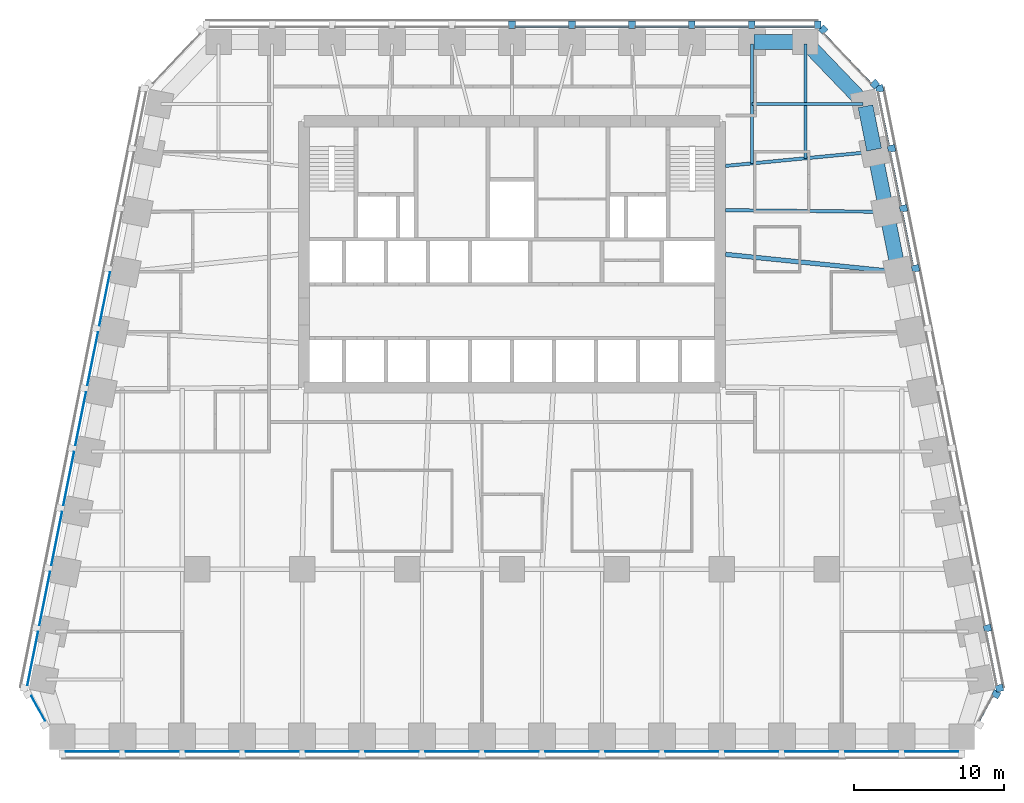
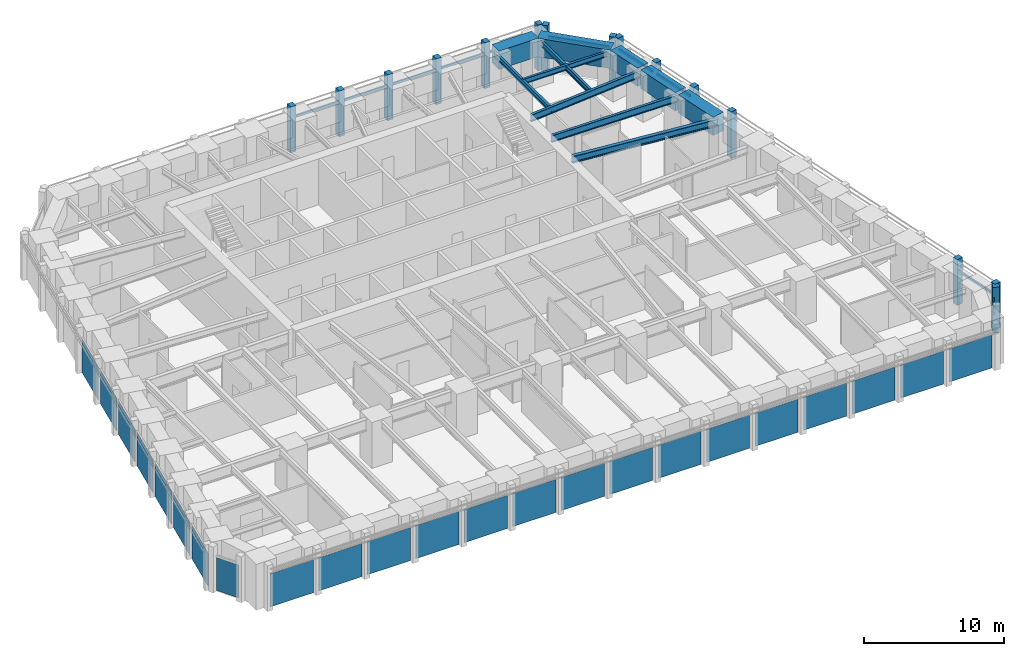
# One storey, part 4 of 10: 26 members, 23 plates, 11 beams, 7 elements without a shape of their own.
"""IFC4 building model written with IfcOpenShell, lengths in metres."""

from ifc_helpers import new_model, si_unit, direction, frame, origin, origin_2d, place, context, subcontext, project, spatial, rectangle, i_section, extrude, material, layer, layer_set, material_profile, profile_set, type_object, element, aggregate, save


model = new_model("IFC4")

# Units and contexts
model_context = context("Model", 3, precision=1e-05, world=origin(), true_north=direction((0.0, 1.0)))
body_context = subcontext(model_context, "Body", "Model", "MODEL_VIEW")
ifc_project = project(units=[si_unit("LENGTHUNIT", "METRE"), si_unit("AREAUNIT", "SQUARE_METRE"), si_unit("VOLUMEUNIT", "CUBIC_METRE"), si_unit("PLANEANGLEUNIT", "RADIAN"), si_unit("MASSUNIT", "GRAM", prefix="KILO")], contexts=[model_context])

# Site, building, storey
site_placement = place(None, origin())
site = spatial("IfcSite", under=ifc_project, at=site_placement, CompositionType="ELEMENT")
building_placement = place(site_placement, origin())
building = spatial("IfcBuilding", under=site, at=building_placement, Name="Isbrekke Arena Tower", CompositionType="ELEMENT")
storey_placement = place(building_placement, frame((0.0, 0.0, 119.0)))
storey = spatial("IfcBuildingStorey", under=building, at=storey_placement, Name="L26", CompositionType="ELEMENT", Elevation=119.0)

# Beams
ifc_material_1 = material(Name="Steel S355", Category="steel")
ifc_material_profile_1 = material_profile(ifc_material_1, i_section(OverallWidth=0.219970703125, OverallDepth=0.60009765625, WebThickness=0.011962890625, FlangeThickness=0.01904296875, FilletRadius=0.02392578125, at=origin_2d()), Name="IPE 600")
ifc_profile_set_1 = profile_set([ifc_material_profile_1], Name="Steel S355")
beam_type_1 = type_object("IfcBeamType", Name="B1 IPE 600", PredefinedType="BEAM", material=ifc_profile_set_1)
beam_1_placement = place(storey_placement, frame((24.83984375, 17.838134765625, 3.550048828125), z_axis=(-0.999944260169, 0.010558245831, 0.0), x_axis=(-0.010558245831, -0.999944260169, 0.0)))
element("IfcBeam", 1, at=beam_1_placement, inside=storey, type_object=beam_type_1, Name="B1 beam E-E09 L26", PredefinedType="BEAM", context=body_context, shape_type="SweptSolid", body=[
    extrude(i_section(OverallWidth=0.219970703125, OverallDepth=0.60009765625, WebThickness=0.011962890625, FlangeThickness=0.01904296875, FilletRadius=0.02392578125, at=origin_2d()), origin(), (0.0, 0.0, 1.0), 10.59033203125),
])
beam_2_placement = place(storey_placement, frame((24.030517578125, 21.837158203125, 3.550048828125), z_axis=(-0.995439798606, -0.095391862082, 0.0), x_axis=(0.095391862082, -0.995439798606, 0.0)))
element("IfcBeam", 2, at=beam_2_placement, inside=storey, type_object=beam_type_1, Name="B1 beam E-E10 L26", PredefinedType="BEAM", context=body_context, shape_type="SweptSolid", body=[
    extrude(i_section(OverallWidth=0.219970703125, OverallDepth=0.60009765625, WebThickness=0.011962890625, FlangeThickness=0.01904296875, FilletRadius=0.02392578125, at=origin_2d()), origin(), (0.0, 0.0, 1.0), 9.825439453125),
])
ifc_material_2 = material(Name="Steel S355", Category="steel")
ifc_material_profile_2 = material_profile(ifc_material_2, i_section(OverallWidth=0.18994140625, OverallDepth=0.449951171875, WebThickness=0.009521484375, FlangeThickness=0.0146484375, FilletRadius=0.02099609375, at=origin_2d()), Name="IPE 450")
ifc_profile_set_2 = profile_set([ifc_material_profile_2], Name="Steel S355")
beam_type_2 = type_object("IfcBeamType", Name="B2 IPE 450", PredefinedType="BEAM", material=ifc_profile_set_2)
beam_3_placement = place(storey_placement, frame((23.40283203125, 25.029296875, 3.625), z_axis=(-1.0, 0.0, 0.0), x_axis=(0.0, -1.0, 0.0)))
element("IfcBeam", 3, at=beam_3_placement, inside=storey, type_object=beam_type_2, Name="B2 beam E-E11 L26", PredefinedType="BEAM", context=body_context, shape_type="SweptSolid", body=[
    extrude(i_section(OverallWidth=0.18994140625, OverallDepth=0.449951171875, WebThickness=0.009521484375, FlangeThickness=0.0146484375, FilletRadius=0.02099609375, at=origin_2d()), origin(), (0.0, 0.0, 1.0), 7.40283203125),
])
ifc_material_3 = material(Name="Steel S355", Category="steel")
ifc_material_profile_3 = material_profile(ifc_material_3, i_section(OverallWidth=0.18994140625, OverallDepth=0.449951171875, WebThickness=0.009521484375, FlangeThickness=0.0146484375, FilletRadius=0.02099609375, at=origin_2d()), Name="IPE 450")
ifc_profile_set_3 = profile_set([ifc_material_profile_3], Name="Steel S355")
beam_type_3 = type_object("IfcBeamType", Name="B3 IPE 450", PredefinedType="BEAM", material=ifc_profile_set_3)
beam_4_placement = place(storey_placement, frame((19.574951171875, 29.02490234375, 3.625), z_axis=(0.0, -1.0, 0.0), x_axis=(1.0, 0.0, 0.0)))
element("IfcBeam", 4, at=beam_4_placement, inside=storey, type_object=beam_type_3, Name="B3 beam N-N01 L26", PredefinedType="BEAM", context=body_context, shape_type="SweptSolid", body=[
    extrude(i_section(OverallWidth=0.18994140625, OverallDepth=0.449951171875, WebThickness=0.009521484375, FlangeThickness=0.0146484375, FilletRadius=0.02099609375, at=origin_2d()), origin(), (0.0, 0.0, 1.0), 7.61474609375),
])
beam_5_placement = place(storey_placement, frame((16.0, 29.02490234375, 3.625), z_axis=(0.0, -1.0, 0.0), x_axis=(1.0, 0.0, 0.0)))
element("IfcBeam", 5, at=beam_5_placement, inside=storey, type_object=beam_type_3, Name="B3 beam N-N02 L26", PredefinedType="BEAM", context=body_context, shape_type="SweptSolid", body=[
    extrude(i_section(OverallWidth=0.18994140625, OverallDepth=0.449951171875, WebThickness=0.009521484375, FlangeThickness=0.0146484375, FilletRadius=0.02099609375, at=origin_2d()), origin(), (0.0, 0.0, 1.0), 7.957275390625),
])
ifc_material_4 = material(Name="Steel S355", Category="steel")
ifc_material_profile_4 = material_profile(ifc_material_4, i_section(OverallWidth=0.300048828125, OverallDepth=0.60009765625, WebThickness=0.015380859375, FlangeThickness=0.030029296875, FilletRadius=0.027099609375, at=origin_2d()), Name="HEB 600")
ifc_profile_set_4 = profile_set([ifc_material_profile_4], Name="Steel S355")
beam_type_4 = type_object("IfcBeamType", Name="B7 HEB 600", PredefinedType="BEAM", material=ifc_profile_set_4)
beam_6_placement = place(storey_placement, frame((25.6259765625, 13.83984375, 3.550048828125), z_axis=(-0.994839949319, 0.10145676537, 0.0), x_axis=(-0.10145676537, -0.994839949319, 0.0)))
element("IfcBeam", 6, at=beam_6_placement, inside=storey, type_object=beam_type_4, Name="B7 beam E-E08 L26", PredefinedType="BEAM", context=body_context, shape_type="SweptSolid", body=[
    extrude(i_section(OverallWidth=0.300048828125, OverallDepth=0.60009765625, WebThickness=0.015380859375, FlangeThickness=0.030029296875, FilletRadius=0.027099609375, at=origin_2d()), origin(), (0.0, 0.0, 1.0), 11.43505859375),
])

# Curtain wall, member
ifc_material_5 = material(Name="Glazed aluminium curtain wall", Category="aluminium")
curtain_wall_type = type_object("IfcCurtainWallType", Name="CWM TOWER CURTAIN WALL MID ZONE", PredefinedType="USERDEFINED", material=ifc_material_5)
curtain_wall_1_placement = place(storey_placement, origin())
curtain_wall_1 = element("IfcCurtainWall", 7, at=curtain_wall_1_placement, inside=storey, type_object=curtain_wall_type, Name="CWM curtain wall L26-SE", ObjectType="TOWER CURTAIN WALL MID ZONE", PredefinedType="USERDEFINED")
ifc_material_6 = material(Name="Aluminium mullion, pale brick slip cladding", Category="masonry")
ifc_material_profile_5 = material_profile(ifc_material_6, rectangle(XDim=0.449951171875, YDim=0.5, at=origin_2d()), Name="PIER 450X500")
ifc_profile_set_5 = profile_set([ifc_material_profile_5], Name="Aluminium mullion, pale brick slip cladding")
member_type_1 = type_object("IfcMemberType", Name="CWM-M PIER MULLION 450 x 500", PredefinedType="MULLION", material=ifc_profile_set_5)
member_1_placement = place(storey_placement, frame((32.296142578125, -14.34375, 0.0), z_axis=(0.0, 0.0, 1.0), x_axis=(0.481918749773, 0.876215908676, 0.0)))
member_1 = element("IfcMember", 8, at=member_1_placement, type_object=member_type_1, Name="CWM-M mullion 2", PredefinedType="MULLION", context=body_context, shape_type="SweptSolid", body=[
    extrude(rectangle(XDim=0.449951171875, YDim=0.5, at=origin_2d()), origin(), (0.0, 0.0, 1.0), 4.0),
])

# Curtain wall, members
curtain_wall_2_placement = place(storey_placement, origin())
curtain_wall_2 = element("IfcCurtainWall", 9, at=curtain_wall_2_placement, inside=storey, type_object=curtain_wall_type, Name="CWM curtain wall L26-E", ObjectType="TOWER CURTAIN WALL MID ZONE", PredefinedType="USERDEFINED")
member_2_placement = place(storey_placement, frame((32.518798828125, -13.936279296875, 0.0), z_axis=(0.0, 0.0, 1.0), x_axis=(-0.196116135138, 0.980580675691, 0.0)))
member_2 = element("IfcMember", 10, at=member_2_placement, type_object=member_type_1, Name="CWM-M mullion 1", PredefinedType="MULLION", context=body_context, shape_type="SweptSolid", body=[
    extrude(rectangle(XDim=0.449951171875, YDim=0.5, at=origin_2d()), origin(), (0.0, 0.0, 1.0), 4.0),
])
member_3_placement = place(storey_placement, frame((31.71875, -9.936279296875, 0.0), z_axis=(0.0, 0.0, 1.0), x_axis=(-0.196116135138, 0.980580675691, 0.0)))
member_3 = element("IfcMember", 11, at=member_3_placement, type_object=member_type_1, Name="CWM-M mullion 2", PredefinedType="MULLION", context=body_context, shape_type="SweptSolid", body=[
    extrude(rectangle(XDim=0.449951171875, YDim=0.5, at=origin_2d()), origin(), (0.0, 0.0, 1.0), 4.0),
])
member_4_placement = place(storey_placement, frame((26.918701171875, 14.063720703125, 0.0), z_axis=(0.0, 0.0, 1.0), x_axis=(-0.196116135138, 0.980580675691, 0.0)))
member_4 = element("IfcMember", 12, at=member_4_placement, type_object=member_type_1, Name="CWM-M mullion 8", PredefinedType="MULLION", context=body_context, shape_type="SweptSolid", body=[
    extrude(rectangle(XDim=0.449951171875, YDim=0.5, at=origin_2d()), origin(), (0.0, 0.0, 1.0), 4.0),
])
member_5_placement = place(storey_placement, frame((26.11865234375, 18.063720703125, 0.0), z_axis=(0.0, 0.0, 1.0), x_axis=(-0.196116135138, 0.980580675691, 0.0)))
member_5 = element("IfcMember", 13, at=member_5_placement, type_object=member_type_1, Name="CWM-M mullion 9", PredefinedType="MULLION", context=body_context, shape_type="SweptSolid", body=[
    extrude(rectangle(XDim=0.449951171875, YDim=0.5, at=origin_2d()), origin(), (0.0, 0.0, 1.0), 4.0),
])
member_6_placement = place(storey_placement, frame((25.318603515625, 22.063720703125, 0.0), z_axis=(0.0, 0.0, 1.0), x_axis=(-0.196116135138, 0.980580675691, 0.0)))
member_6 = element("IfcMember", 14, at=member_6_placement, type_object=member_type_1, Name="CWM-M mullion 10", PredefinedType="MULLION", context=body_context, shape_type="SweptSolid", body=[
    extrude(rectangle(XDim=0.449951171875, YDim=0.5, at=origin_2d()), origin(), (0.0, 0.0, 1.0), 4.0),
])
member_7_placement = place(storey_placement, frame((24.518798828125, 26.063720703125, 0.0), z_axis=(0.0, 0.0, 1.0), x_axis=(-0.196116135138, 0.980580675691, 0.0)))
member_7 = element("IfcMember", 15, at=member_7_placement, type_object=member_type_1, Name="CWM-M mullion 11", PredefinedType="MULLION", context=body_context, shape_type="SweptSolid", body=[
    extrude(rectangle(XDim=0.449951171875, YDim=0.5, at=origin_2d()), origin(), (0.0, 0.0, 1.0), 4.0),
])

curtain_wall_3_placement = place(storey_placement, origin())
curtain_wall_3 = element("IfcCurtainWall", 16, at=curtain_wall_3_placement, inside=storey, type_object=curtain_wall_type, Name="CWM curtain wall L26-EN", ObjectType="TOWER CURTAIN WALL MID ZONE", PredefinedType="USERDEFINED")
member_8_placement = place(storey_placement, frame((24.208251953125, 26.354248046875, 0.0), z_axis=(0.0, 0.0, 1.0), x_axis=(-0.68874946192, 0.72499943359, 0.0)))
member_8 = element("IfcMember", 17, at=member_8_placement, type_object=member_type_1, Name="CWM-M mullion 1", PredefinedType="MULLION", context=body_context, shape_type="SweptSolid", body=[
    extrude(rectangle(XDim=0.449951171875, YDim=0.5, at=origin_2d()), origin(), (0.0, 0.0, 1.0), 4.0),
])
member_9_placement = place(storey_placement, frame((20.7587890625, 29.9853515625, 0.0), z_axis=(0.0, 0.0, 1.0), x_axis=(-0.68874946192, 0.72499943359, 0.0)))
member_9 = element("IfcMember", 18, at=member_9_placement, type_object=member_type_1, Name="CWM-M mullion 2", PredefinedType="MULLION", context=body_context, shape_type="SweptSolid", body=[
    extrude(rectangle(XDim=0.449951171875, YDim=0.5, at=origin_2d()), origin(), (0.0, 0.0, 1.0), 4.0),
])

curtain_wall_4_placement = place(storey_placement, origin())
curtain_wall_4 = element("IfcCurtainWall", 19, at=curtain_wall_4_placement, inside=storey, type_object=curtain_wall_type, Name="CWM curtain wall L26-N", ObjectType="TOWER CURTAIN WALL MID ZONE", PredefinedType="USERDEFINED")
member_10_placement = place(storey_placement, frame((20.39990234375, 30.324951171875, 0.0), z_axis=(0.0, 0.0, 1.0), x_axis=(-1.0, 0.0, 0.0)))
member_10 = element("IfcMember", 20, at=member_10_placement, type_object=member_type_1, Name="CWM-M mullion 1", PredefinedType="MULLION", context=body_context, shape_type="SweptSolid", body=[
    extrude(rectangle(XDim=0.449951171875, YDim=0.5, at=origin_2d()), origin(), (0.0, 0.0, 1.0), 4.0),
])
member_11_placement = place(storey_placement, frame((16.0, 30.324951171875, 0.0), z_axis=(0.0, 0.0, 1.0), x_axis=(-1.0, 0.0, 0.0)))
member_11 = element("IfcMember", 21, at=member_11_placement, type_object=member_type_1, Name="CWM-M mullion 2", PredefinedType="MULLION", context=body_context, shape_type="SweptSolid", body=[
    extrude(rectangle(XDim=0.449951171875, YDim=0.5, at=origin_2d()), origin(), (0.0, 0.0, 1.0), 4.0),
])
member_12_placement = place(storey_placement, frame((12.0, 30.324951171875, 0.0), z_axis=(0.0, 0.0, 1.0), x_axis=(-1.0, 0.0, 0.0)))
member_12 = element("IfcMember", 22, at=member_12_placement, type_object=member_type_1, Name="CWM-M mullion 3", PredefinedType="MULLION", context=body_context, shape_type="SweptSolid", body=[
    extrude(rectangle(XDim=0.449951171875, YDim=0.5, at=origin_2d()), origin(), (0.0, 0.0, 1.0), 4.0),
])
member_13_placement = place(storey_placement, frame((8.0, 30.324951171875, 0.0), z_axis=(0.0, 0.0, 1.0), x_axis=(-1.0, 0.0, 0.0)))
member_13 = element("IfcMember", 23, at=member_13_placement, type_object=member_type_1, Name="CWM-M mullion 4", PredefinedType="MULLION", context=body_context, shape_type="SweptSolid", body=[
    extrude(rectangle(XDim=0.449951171875, YDim=0.5, at=origin_2d()), origin(), (0.0, 0.0, 1.0), 4.0),
])
member_14_placement = place(storey_placement, frame((4.0, 30.324951171875, 0.0), z_axis=(0.0, 0.0, 1.0), x_axis=(-1.0, 0.0, 0.0)))
member_14 = element("IfcMember", 24, at=member_14_placement, type_object=member_type_1, Name="CWM-M mullion 5", PredefinedType="MULLION", context=body_context, shape_type="SweptSolid", body=[
    extrude(rectangle(XDim=0.449951171875, YDim=0.5, at=origin_2d()), origin(), (0.0, 0.0, 1.0), 4.0),
])
member_15_placement = place(storey_placement, frame((0.0, 30.324951171875, 0.0), z_axis=(0.0, 0.0, 1.0), x_axis=(-1.0, 0.0, 0.0)))
member_15 = element("IfcMember", 25, at=member_15_placement, type_object=member_type_1, Name="CWM-M mullion 6", PredefinedType="MULLION", context=body_context, shape_type="SweptSolid", body=[
    extrude(rectangle(XDim=0.449951171875, YDim=0.5, at=origin_2d()), origin(), (0.0, 0.0, 1.0), 4.0),
])

# Member
ifc_material_7 = material(Name="Aluminium transom", Category="aluminium")
ifc_material_profile_6 = material_profile(ifc_material_7, rectangle(XDim=0.1201171875, YDim=0.199951171875, at=origin_2d()), Name="TRANSOM 120X200")
ifc_profile_set_6 = profile_set([ifc_material_profile_6], Name="Aluminium transom")
member_type_2 = type_object("IfcMemberType", Name="CWM-T TRANSOM 120 x 200", PredefinedType="USERDEFINED", material=ifc_profile_set_6)
member_16_placement = place(storey_placement, frame((31.152099609375, -16.112548828125, 3.0), z_axis=(0.482003669577, 0.876169197424, 0.0), x_axis=(-0.876169197424, 0.482003669577, 0.0)))
member_16 = element("IfcMember", 26, at=member_16_placement, type_object=member_type_2, Name="CWM-T transom 1", ObjectType="TRANSOM", PredefinedType="USERDEFINED", context=body_context, shape_type="SweptSolid", body=[
    extrude(rectangle(XDim=0.1201171875, YDim=0.199951171875, at=origin_2d()), origin(), (0.0, 0.0, 1.0), 1.876220703125),
])

aggregate(curtain_wall_1, [member_1, member_16])

member_17_placement = place(storey_placement, frame((32.327392578125, -13.7451171875, 3.0), z_axis=(-0.196090262229, 0.980585849918, 0.0), x_axis=(-0.980585849918, -0.196090262229, 0.0)))
member_17 = element("IfcMember", 27, at=member_17_placement, type_object=member_type_2, Name="CWM-T transom 1", ObjectType="TRANSOM", PredefinedType="USERDEFINED", context=body_context, shape_type="SweptSolid", body=[
    extrude(rectangle(XDim=0.1201171875, YDim=0.199951171875, at=origin_2d()), origin(), (0.0, 0.0, 1.0), 3.62939453125),
])

member_18_placement = place(storey_placement, frame((26.7275390625, 14.2548828125, 3.0), z_axis=(-0.196154943734, 0.980572913173, 0.0), x_axis=(-0.980572913173, -0.196154943734, 0.0)))
member_18 = element("IfcMember", 28, at=member_18_placement, type_object=member_type_2, Name="CWM-T transom 8", ObjectType="TRANSOM", PredefinedType="USERDEFINED", context=body_context, shape_type="SweptSolid", body=[
    extrude(rectangle(XDim=0.1201171875, YDim=0.199951171875, at=origin_2d()), origin(), (0.0, 0.0, 1.0), 3.62939453125),
])

member_19_placement = place(storey_placement, frame((25.927490234375, 18.2548828125, 3.0), z_axis=(-0.196090262229, 0.980585849918, 0.0), x_axis=(-0.980585849918, -0.196090262229, 0.0)))
member_19 = element("IfcMember", 29, at=member_19_placement, type_object=member_type_2, Name="CWM-T transom 9", ObjectType="TRANSOM", PredefinedType="USERDEFINED", context=body_context, shape_type="SweptSolid", body=[
    extrude(rectangle(XDim=0.1201171875, YDim=0.199951171875, at=origin_2d()), origin(), (0.0, 0.0, 1.0), 3.62939453125),
])

member_20_placement = place(storey_placement, frame((25.12744140625, 22.2548828125, 3.0), z_axis=(-0.196090262229, 0.980585849918, 0.0), x_axis=(-0.980585849918, -0.196090262229, 0.0)))
member_20 = element("IfcMember", 30, at=member_20_placement, type_object=member_type_2, Name="CWM-T transom 10", ObjectType="TRANSOM", PredefinedType="USERDEFINED", context=body_context, shape_type="SweptSolid", body=[
    extrude(rectangle(XDim=0.1201171875, YDim=0.199951171875, at=origin_2d()), origin(), (0.0, 0.0, 1.0), 3.62939453125),
])

aggregate(curtain_wall_2, [member_2, member_3, member_4, member_5, member_6, member_7, member_17, member_18, member_19, member_20])

member_21_placement = place(storey_placement, frame((23.944580078125, 26.4140625, 3.0), z_axis=(-0.688771983213, 0.724978037696, 0.0), x_axis=(-0.724978037696, -0.688771983213, 0.0)))
member_21 = element("IfcMember", 31, at=member_21_placement, type_object=member_type_2, Name="CWM-T transom 1", ObjectType="TRANSOM", PredefinedType="USERDEFINED", context=body_context, shape_type="SweptSolid", body=[
    extrude(rectangle(XDim=0.1201171875, YDim=0.199951171875, at=origin_2d()), origin(), (0.0, 0.0, 1.0), 4.558349609375),
])

aggregate(curtain_wall_3, [member_8, member_9, member_21])

member_22_placement = place(storey_placement, frame((20.175048828125, 30.175048828125, 3.0), z_axis=(-1.0, 0.0, 0.0), x_axis=(0.0, -1.0, 0.0)))
member_22 = element("IfcMember", 32, at=member_22_placement, type_object=member_type_2, Name="CWM-T transom 1", ObjectType="TRANSOM", PredefinedType="USERDEFINED", context=body_context, shape_type="SweptSolid", body=[
    extrude(rectangle(XDim=0.1201171875, YDim=0.199951171875, at=origin_2d()), origin(), (0.0, 0.0, 1.0), 3.949951171875),
])

member_23_placement = place(storey_placement, frame((15.77490234375, 30.175048828125, 3.0), z_axis=(-1.0, 0.0, 0.0), x_axis=(0.0, -1.0, 0.0)))
member_23 = element("IfcMember", 33, at=member_23_placement, type_object=member_type_2, Name="CWM-T transom 2", ObjectType="TRANSOM", PredefinedType="USERDEFINED", context=body_context, shape_type="SweptSolid", body=[
    extrude(rectangle(XDim=0.1201171875, YDim=0.199951171875, at=origin_2d()), origin(), (0.0, 0.0, 1.0), 3.5498046875),
])

member_24_placement = place(storey_placement, frame((11.77490234375, 30.175048828125, 3.0), z_axis=(-1.0, 0.0, 0.0), x_axis=(0.0, -1.0, 0.0)))
member_24 = element("IfcMember", 34, at=member_24_placement, type_object=member_type_2, Name="CWM-T transom 3", ObjectType="TRANSOM", PredefinedType="USERDEFINED", context=body_context, shape_type="SweptSolid", body=[
    extrude(rectangle(XDim=0.1201171875, YDim=0.199951171875, at=origin_2d()), origin(), (0.0, 0.0, 1.0), 3.5498046875),
])

member_25_placement = place(storey_placement, frame((7.77490234375, 30.175048828125, 3.0), z_axis=(-1.0, 0.0, 0.0), x_axis=(0.0, -1.0, 0.0)))
member_25 = element("IfcMember", 35, at=member_25_placement, type_object=member_type_2, Name="CWM-T transom 4", ObjectType="TRANSOM", PredefinedType="USERDEFINED", context=body_context, shape_type="SweptSolid", body=[
    extrude(rectangle(XDim=0.1201171875, YDim=0.199951171875, at=origin_2d()), origin(), (0.0, 0.0, 1.0), 3.5498046875),
])

member_26_placement = place(storey_placement, frame((3.77490234375, 30.175048828125, 3.0), z_axis=(-1.0, 0.0, 0.0), x_axis=(0.0, -1.0, 0.0)))
member_26 = element("IfcMember", 36, at=member_26_placement, type_object=member_type_2, Name="CWM-T transom 5", ObjectType="TRANSOM", PredefinedType="USERDEFINED", context=body_context, shape_type="SweptSolid", body=[
    extrude(rectangle(XDim=0.1201171875, YDim=0.199951171875, at=origin_2d()), origin(), (0.0, 0.0, 1.0), 3.5498046875),
])

aggregate(curtain_wall_4, [member_10, member_11, member_12, member_13, member_14, member_15, member_22, member_23, member_24, member_25, member_26])

# Beams
ifc_material_8 = material(Name="Concrete B80 (C80/95)", Category="concrete")
ifc_material_profile_7 = material_profile(ifc_material_8, rectangle(XDim=1.0, YDim=1.60009765625, at=origin_2d()), Name="RC 1000x1600")
ifc_profile_set_7 = profile_set([ifc_material_profile_7], Name="Concrete B80 (C80/95)")
beam_type_5 = type_object("IfcBeamType", Name="SB2 RC 1000 x 1600", PredefinedType="SPANDREL", material=ifc_profile_set_7)
for number, where, z_axis, x_axis, name in (
    (37, (25.76171875, 13.9853515625, 3.199951171875), (-0.196128558387, 0.980578190959, 0.0), (-0.980578190959, -0.196128558387, 0.0), "SB2 spandrel E08-E09 L26"),
    (38, (24.961669921875, 17.9853515625, 3.199951171875), (-0.196128558387, 0.980578190959, 0.0), (-0.980578190959, -0.196128558387, 0.0), "SB2 spandrel E09-E10 L26"),
):
    element("IfcBeam", number, at=place(storey_placement, frame(where, z_axis=z_axis, x_axis=x_axis)), inside=storey, type_object=beam_type_5, Name=name, PredefinedType="SPANDREL", context=body_context, shape_type="SweptSolid", body=[
        extrude(rectangle(XDim=1.0, YDim=1.60009765625, at=origin_2d()), origin(), (0.0, 0.0, 1.0), 3.779296875),
    ])
beam_7_placement = place(storey_placement, frame((24.16162109375, 21.9853515625, 3.199951171875), z_axis=(-0.196116135138, 0.980580675691, 0.0), x_axis=(-0.980580675691, -0.196116135138, 0.0)))
element("IfcBeam", 39, at=beam_7_placement, inside=storey, type_object=beam_type_5, Name="SB2 spandrel E10-E11 L26", PredefinedType="SPANDREL", context=body_context, shape_type="SweptSolid", body=[
    extrude(rectangle(XDim=1.0, YDim=1.60009765625, at=origin_2d()), origin(), (0.0, 0.0, 1.0), 2.9541015625),
])
beam_8_placement = place(storey_placement, frame((23.448974609375, 25.137451171875, 3.199951171875), z_axis=(-0.692339547635, 0.721571861134, 0.0), x_axis=(-0.721571861134, -0.692339547635, 0.0)))
element("IfcBeam", 40, at=beam_8_placement, inside=storey, type_object=beam_type_5, Name="SB2 spandrel E11-N01 L26", PredefinedType="SPANDREL", context=body_context, shape_type="SweptSolid", body=[
    extrude(rectangle(XDim=1.0, YDim=1.60009765625, at=origin_2d()), origin(), (0.0, 0.0, 1.0), 5.4453125),
])
beam_9_placement = place(storey_placement, frame((19.425048828125, 29.175048828125, 3.199951171875), z_axis=(-1.0, 0.0, 0.0), x_axis=(0.0, -1.0, 0.0)))
element("IfcBeam", 41, at=beam_9_placement, inside=storey, type_object=beam_type_5, Name="SB2 spandrel N01-N02 L26", PredefinedType="SPANDREL", context=body_context, shape_type="SweptSolid", body=[
    extrude(rectangle(XDim=1.0, YDim=1.60009765625, at=origin_2d()), origin(), (0.0, 0.0, 1.0), 3.275146484375),
])

# Curtain wall, plates
curtain_wall_5_placement = place(storey_placement, origin())
curtain_wall_5 = element("IfcCurtainWall", 42, at=curtain_wall_5_placement, inside=storey, type_object=curtain_wall_type, Name="CWM curtain wall L26-S", ObjectType="TOWER CURTAIN WALL MID ZONE", PredefinedType="USERDEFINED")
ifc_material_9 = material(Name="Triple-glazed clear glass unit", Category="glass")
ifc_layer = layer(ifc_material_9, 0.031982421875)
ifc_layer_set = layer_set([ifc_layer], Name="CWM-P VISION PANEL")
plate_type = type_object("IfcPlateType", Name="CWM-P VISION PANEL", PredefinedType="CURTAIN_PANEL", material=ifc_layer_set)
plate_1_placement = place(storey_placement, frame((-28.0, -18.175048828125, 0.02001953125), z_axis=(0.0, 0.0, 1.0), x_axis=(1.0, 0.0, 0.0)))
plate_1 = element("IfcPlate", 43, at=plate_1_placement, type_object=plate_type, Name="CWM-P panel 1", PredefinedType="CURTAIN_PANEL", context=body_context, shape_type="SweptSolid", body=[
    extrude(rectangle(XDim=3.550048828125, YDim=0.031982421875, at=origin_2d()), origin(), (0.0, 0.0, 1.0), 2.8798828125),
])
plate_2_placement = place(storey_placement, frame((-24.0, -18.175048828125, 0.02001953125), z_axis=(0.0, 0.0, 1.0), x_axis=(1.0, 0.0, 0.0)))
plate_2 = element("IfcPlate", 44, at=plate_2_placement, type_object=plate_type, Name="CWM-P panel 2", PredefinedType="CURTAIN_PANEL", context=body_context, shape_type="SweptSolid", body=[
    extrude(rectangle(XDim=3.550048828125, YDim=0.031982421875, at=origin_2d()), origin(), (0.0, 0.0, 1.0), 2.8798828125),
])
plate_3_placement = place(storey_placement, frame((-20.0, -18.175048828125, 0.02001953125), z_axis=(0.0, 0.0, 1.0), x_axis=(1.0, 0.0, 0.0)))
plate_3 = element("IfcPlate", 45, at=plate_3_placement, type_object=plate_type, Name="CWM-P panel 3", PredefinedType="CURTAIN_PANEL", context=body_context, shape_type="SweptSolid", body=[
    extrude(rectangle(XDim=3.550048828125, YDim=0.031982421875, at=origin_2d()), origin(), (0.0, 0.0, 1.0), 2.8798828125),
])
plate_4_placement = place(storey_placement, frame((-16.0, -18.175048828125, 0.02001953125), z_axis=(0.0, 0.0, 1.0), x_axis=(1.0, 0.0, 0.0)))
plate_4 = element("IfcPlate", 46, at=plate_4_placement, type_object=plate_type, Name="CWM-P panel 4", PredefinedType="CURTAIN_PANEL", context=body_context, shape_type="SweptSolid", body=[
    extrude(rectangle(XDim=3.550048828125, YDim=0.031982421875, at=origin_2d()), origin(), (0.0, 0.0, 1.0), 2.8798828125),
])
plate_5_placement = place(storey_placement, frame((-12.0, -18.175048828125, 0.02001953125), z_axis=(0.0, 0.0, 1.0), x_axis=(1.0, 0.0, 0.0)))
plate_5 = element("IfcPlate", 47, at=plate_5_placement, type_object=plate_type, Name="CWM-P panel 5", PredefinedType="CURTAIN_PANEL", context=body_context, shape_type="SweptSolid", body=[
    extrude(rectangle(XDim=3.550048828125, YDim=0.031982421875, at=origin_2d()), origin(), (0.0, 0.0, 1.0), 2.8798828125),
])
plate_6_placement = place(storey_placement, frame((-8.0, -18.175048828125, 0.02001953125), z_axis=(0.0, 0.0, 1.0), x_axis=(1.0, 0.0, 0.0)))
plate_6 = element("IfcPlate", 48, at=plate_6_placement, type_object=plate_type, Name="CWM-P panel 6", PredefinedType="CURTAIN_PANEL", context=body_context, shape_type="SweptSolid", body=[
    extrude(rectangle(XDim=3.550048828125, YDim=0.031982421875, at=origin_2d()), origin(), (0.0, 0.0, 1.0), 2.8798828125),
])
plate_7_placement = place(storey_placement, frame((-4.0, -18.175048828125, 0.02001953125), z_axis=(0.0, 0.0, 1.0), x_axis=(1.0, 0.0, 0.0)))
plate_7 = element("IfcPlate", 49, at=plate_7_placement, type_object=plate_type, Name="CWM-P panel 7", PredefinedType="CURTAIN_PANEL", context=body_context, shape_type="SweptSolid", body=[
    extrude(rectangle(XDim=3.550048828125, YDim=0.031982421875, at=origin_2d()), origin(), (0.0, 0.0, 1.0), 2.8798828125),
])
plate_8_placement = place(storey_placement, frame((0.0, -18.175048828125, 0.02001953125), z_axis=(0.0, 0.0, 1.0), x_axis=(1.0, 0.0, 0.0)))
plate_8 = element("IfcPlate", 50, at=plate_8_placement, type_object=plate_type, Name="CWM-P panel 8", PredefinedType="CURTAIN_PANEL", context=body_context, shape_type="SweptSolid", body=[
    extrude(rectangle(XDim=3.550048828125, YDim=0.031982421875, at=origin_2d()), origin(), (0.0, 0.0, 1.0), 2.8798828125),
])
plate_9_placement = place(storey_placement, frame((4.0, -18.175048828125, 0.02001953125), z_axis=(0.0, 0.0, 1.0), x_axis=(1.0, 0.0, 0.0)))
plate_9 = element("IfcPlate", 51, at=plate_9_placement, type_object=plate_type, Name="CWM-P panel 9", PredefinedType="CURTAIN_PANEL", context=body_context, shape_type="SweptSolid", body=[
    extrude(rectangle(XDim=3.550048828125, YDim=0.031982421875, at=origin_2d()), origin(), (0.0, 0.0, 1.0), 2.8798828125),
])
plate_10_placement = place(storey_placement, frame((8.0, -18.175048828125, 0.02001953125), z_axis=(0.0, 0.0, 1.0), x_axis=(1.0, 0.0, 0.0)))
plate_10 = element("IfcPlate", 52, at=plate_10_placement, type_object=plate_type, Name="CWM-P panel 10", PredefinedType="CURTAIN_PANEL", context=body_context, shape_type="SweptSolid", body=[
    extrude(rectangle(XDim=3.550048828125, YDim=0.031982421875, at=origin_2d()), origin(), (0.0, 0.0, 1.0), 2.8798828125),
])
plate_11_placement = place(storey_placement, frame((12.0, -18.175048828125, 0.02001953125), z_axis=(0.0, 0.0, 1.0), x_axis=(1.0, 0.0, 0.0)))
plate_11 = element("IfcPlate", 53, at=plate_11_placement, type_object=plate_type, Name="CWM-P panel 11", PredefinedType="CURTAIN_PANEL", context=body_context, shape_type="SweptSolid", body=[
    extrude(rectangle(XDim=3.550048828125, YDim=0.031982421875, at=origin_2d()), origin(), (0.0, 0.0, 1.0), 2.8798828125),
])
plate_12_placement = place(storey_placement, frame((16.0, -18.175048828125, 0.02001953125), z_axis=(0.0, 0.0, 1.0), x_axis=(1.0, 0.0, 0.0)))
plate_12 = element("IfcPlate", 54, at=plate_12_placement, type_object=plate_type, Name="CWM-P panel 12", PredefinedType="CURTAIN_PANEL", context=body_context, shape_type="SweptSolid", body=[
    extrude(rectangle(XDim=3.550048828125, YDim=0.031982421875, at=origin_2d()), origin(), (0.0, 0.0, 1.0), 2.8798828125),
])
plate_13_placement = place(storey_placement, frame((20.0, -18.175048828125, 0.02001953125), z_axis=(0.0, 0.0, 1.0), x_axis=(1.0, 0.0, 0.0)))
plate_13 = element("IfcPlate", 55, at=plate_13_placement, type_object=plate_type, Name="CWM-P panel 13", PredefinedType="CURTAIN_PANEL", context=body_context, shape_type="SweptSolid", body=[
    extrude(rectangle(XDim=3.550048828125, YDim=0.031982421875, at=origin_2d()), origin(), (0.0, 0.0, 1.0), 2.8798828125),
])
plate_14_placement = place(storey_placement, frame((24.0, -18.175048828125, 0.02001953125), z_axis=(0.0, 0.0, 1.0), x_axis=(1.0, 0.0, 0.0)))
plate_14 = element("IfcPlate", 56, at=plate_14_placement, type_object=plate_type, Name="CWM-P panel 14", PredefinedType="CURTAIN_PANEL", context=body_context, shape_type="SweptSolid", body=[
    extrude(rectangle(XDim=3.550048828125, YDim=0.031982421875, at=origin_2d()), origin(), (0.0, 0.0, 1.0), 2.8798828125),
])
plate_15_placement = place(storey_placement, frame((28.0, -18.175048828125, 0.02001953125), z_axis=(0.0, 0.0, 1.0), x_axis=(1.0, 0.0, 0.0)))
plate_15 = element("IfcPlate", 57, at=plate_15_placement, type_object=plate_type, Name="CWM-P panel 15", PredefinedType="CURTAIN_PANEL", context=body_context, shape_type="SweptSolid", body=[
    extrude(rectangle(XDim=3.550048828125, YDim=0.031982421875, at=origin_2d()), origin(), (0.0, 0.0, 1.0), 2.8798828125),
])
aggregate(curtain_wall_5, [plate_1, plate_2, plate_3, plate_4, plate_5, plate_6, plate_7, plate_8, plate_9, plate_10, plate_11, plate_12, plate_13, plate_14, plate_15])

curtain_wall_6_placement = place(storey_placement, origin())
curtain_wall_6 = element("IfcCurtainWall", 58, at=curtain_wall_6_placement, inside=storey, type_object=curtain_wall_type, Name="CWM curtain wall L26-W", ObjectType="TOWER CURTAIN WALL MID ZONE", PredefinedType="USERDEFINED")
plate_16_placement = place(storey_placement, frame((-27.171630859375, 12.034423828125, 0.02001953125), z_axis=(0.0, 0.0, 1.0), x_axis=(-0.196116135138, -0.980580675691, 0.0)))
plate_16 = element("IfcPlate", 59, at=plate_16_placement, type_object=plate_type, Name="CWM-P panel 4", PredefinedType="CURTAIN_PANEL", context=body_context, shape_type="SweptSolid", body=[
    extrude(rectangle(XDim=3.629150390625, YDim=0.031982421875, at=origin_2d()), origin(), (0.0, 0.0, 1.0), 2.8798828125),
])
plate_17_placement = place(storey_placement, frame((-27.9716796875, 8.034423828125, 0.02001953125), z_axis=(0.0, 0.0, 1.0), x_axis=(-0.196116135138, -0.980580675691, 0.0)))
plate_17 = element("IfcPlate", 60, at=plate_17_placement, type_object=plate_type, Name="CWM-P panel 5", PredefinedType="CURTAIN_PANEL", context=body_context, shape_type="SweptSolid", body=[
    extrude(rectangle(XDim=3.629150390625, YDim=0.031982421875, at=origin_2d()), origin(), (0.0, 0.0, 1.0), 2.8798828125),
])
plate_18_placement = place(storey_placement, frame((-28.771484375, 4.034423828125, 0.02001953125), z_axis=(0.0, 0.0, 1.0), x_axis=(-0.196116135138, -0.980580675691, 0.0)))
plate_18 = element("IfcPlate", 61, at=plate_18_placement, type_object=plate_type, Name="CWM-P panel 6", PredefinedType="CURTAIN_PANEL", context=body_context, shape_type="SweptSolid", body=[
    extrude(rectangle(XDim=3.629150390625, YDim=0.031982421875, at=origin_2d()), origin(), (0.0, 0.0, 1.0), 2.8798828125),
])
plate_19_placement = place(storey_placement, frame((-29.571533203125, 0.034423828125, 0.02001953125), z_axis=(0.0, 0.0, 1.0), x_axis=(-0.196116135138, -0.980580675691, 0.0)))
plate_19 = element("IfcPlate", 62, at=plate_19_placement, type_object=plate_type, Name="CWM-P panel 7", PredefinedType="CURTAIN_PANEL", context=body_context, shape_type="SweptSolid", body=[
    extrude(rectangle(XDim=3.629150390625, YDim=0.031982421875, at=origin_2d()), origin(), (0.0, 0.0, 1.0), 2.8798828125),
])
plate_20_placement = place(storey_placement, frame((-30.37158203125, -3.965576171875, 0.02001953125), z_axis=(0.0, 0.0, 1.0), x_axis=(-0.196116135138, -0.980580675691, 0.0)))
plate_20 = element("IfcPlate", 63, at=plate_20_placement, type_object=plate_type, Name="CWM-P panel 8", PredefinedType="CURTAIN_PANEL", context=body_context, shape_type="SweptSolid", body=[
    extrude(rectangle(XDim=3.629150390625, YDim=0.031982421875, at=origin_2d()), origin(), (0.0, 0.0, 1.0), 2.8798828125),
])
plate_21_placement = place(storey_placement, frame((-31.171630859375, -7.965576171875, 0.02001953125), z_axis=(0.0, 0.0, 1.0), x_axis=(-0.196116135138, -0.980580675691, 0.0)))
plate_21 = element("IfcPlate", 64, at=plate_21_placement, type_object=plate_type, Name="CWM-P panel 9", PredefinedType="CURTAIN_PANEL", context=body_context, shape_type="SweptSolid", body=[
    extrude(rectangle(XDim=3.629150390625, YDim=0.031982421875, at=origin_2d()), origin(), (0.0, 0.0, 1.0), 2.8798828125),
])
plate_22_placement = place(storey_placement, frame((-31.9716796875, -11.965576171875, 0.02001953125), z_axis=(0.0, 0.0, 1.0), x_axis=(-0.196116135138, -0.980580675691, 0.0)))
plate_22 = element("IfcPlate", 65, at=plate_22_placement, type_object=plate_type, Name="CWM-P panel 10", PredefinedType="CURTAIN_PANEL", context=body_context, shape_type="SweptSolid", body=[
    extrude(rectangle(XDim=3.629150390625, YDim=0.031982421875, at=origin_2d()), origin(), (0.0, 0.0, 1.0), 2.8798828125),
])
aggregate(curtain_wall_6, [plate_16, plate_17, plate_18, plate_19, plate_20, plate_21, plate_22])

# Curtain wall, plate
curtain_wall_7_placement = place(storey_placement, origin())
curtain_wall_7 = element("IfcCurtainWall", 66, at=curtain_wall_7_placement, inside=storey, type_object=curtain_wall_type, Name="CWM curtain wall L26-WS", ObjectType="TOWER CURTAIN WALL MID ZONE", PredefinedType="USERDEFINED")
plate_23_placement = place(storey_placement, frame((-31.60400390625, -15.291015625, 0.02001953125), z_axis=(0.0, 0.0, 1.0), x_axis=(0.481918749773, -0.876215908676, 0.0)))
plate_23 = element("IfcPlate", 67, at=plate_23_placement, type_object=plate_type, Name="CWM-P panel 1", PredefinedType="CURTAIN_PANEL", context=body_context, shape_type="SweptSolid", body=[
    extrude(rectangle(XDim=1.878173828125, YDim=0.031982421875, at=origin_2d()), origin(), (0.0, 0.0, 1.0), 2.8798828125),
])
aggregate(curtain_wall_7, [plate_23])

save(model, "model.ifc")
